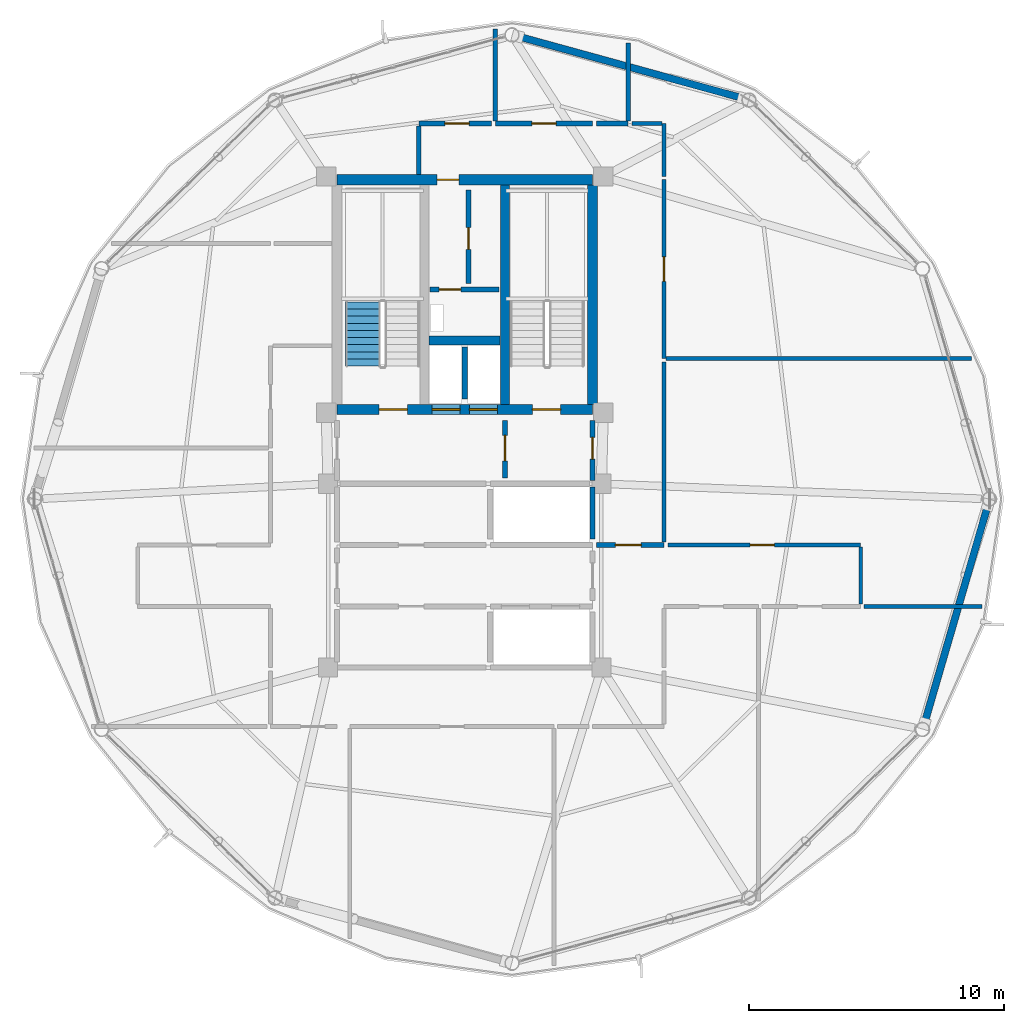
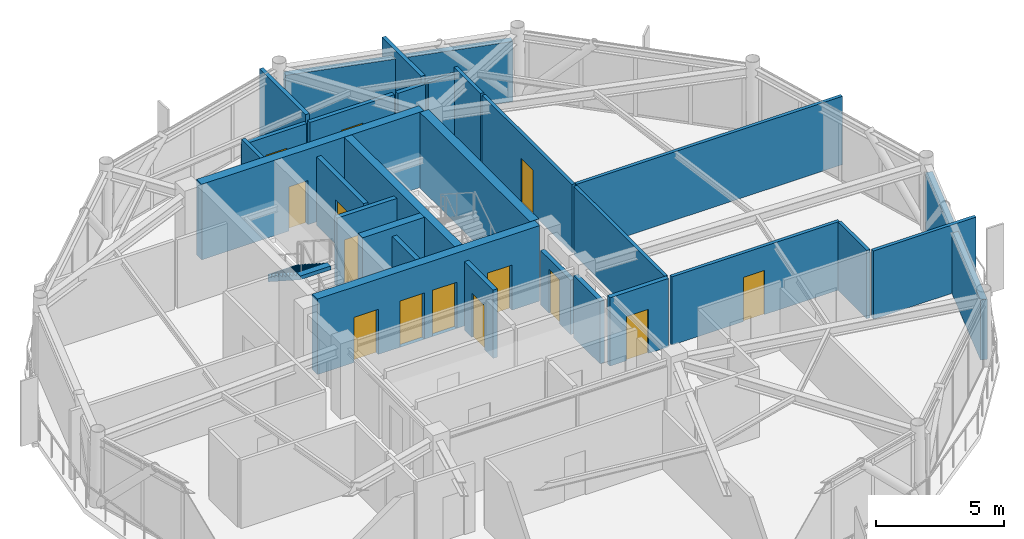
# One storey, part 24 of 28: 28 walls, 14 doors, 1 stair flight, 14 openings, 1 element without a shape of its own.
"""IFC4 building model written with IfcOpenShell, lengths in metres."""

from ifc_helpers import new_model, si_unit, direction, frame, frame_2d, origin, place, context, subcontext, project, spatial, polyline, rectangle, outline, extrude, material, layer, layer_set, type_object, element, fill, aggregate, save


model = new_model("IFC4")

# Units and contexts
model_context = context("Model", 3, precision=1e-05, world=origin(), true_north=direction((0.0, 1.0)))
body_context = subcontext(model_context, "Body", "Model", "MODEL_VIEW")
ifc_project = project(units=[si_unit("LENGTHUNIT", "METRE"), si_unit("AREAUNIT", "SQUARE_METRE"), si_unit("VOLUMEUNIT", "CUBIC_METRE"), si_unit("PLANEANGLEUNIT", "RADIAN"), si_unit("MASSUNIT", "GRAM", prefix="KILO")], contexts=[model_context])

# Site, building, storey
site_placement = place(None, origin())
site = spatial("IfcSite", under=ifc_project, at=site_placement, CompositionType="ELEMENT")
building_placement = place(site_placement, origin())
building = spatial("IfcBuilding", under=site, at=building_placement, Name="Varnakorn Sky Granary", CompositionType="ELEMENT")
storey_placement = place(building_placement, frame((0.0, 0.0, 236.39990234375)))
storey = spatial("IfcBuildingStorey", under=building, at=storey_placement, Name="L60", CompositionType="ELEMENT", Elevation=236.39990234375)

# Walls
ifc_material_1 = material(Name="Concrete C50/60", Category="concrete")
ifc_layer_1 = layer(ifc_material_1, 0.35009765625, Name="Concrete C50/60")
ifc_layer_set_1 = layer_set([ifc_layer_1], Name="Concrete C50/60")
wall_type_1 = type_object("IfcWallType", Name="WT-CW-INT-350", PredefinedType="SHEAR", material=ifc_layer_set_1)
wall_1_placement = place(storey_placement, frame((4.580078125, 3.7099609375, 0.0), z_axis=(0.0, 0.0, 1.0), x_axis=(0.0, 1.0, 0.0)))
element("IfcWall", 1, at=wall_1_placement, inside=storey, type_object=wall_type_1, Name="Stair ST-2 Core Wall L60", PredefinedType="SHEAR", context=body_context, shape_type="SweptSolid", body=[
    extrude(rectangle(XDim=8.580078125, YDim=0.35009765625, at=frame_2d((4.2900390625, 0.0))), origin(), (0.0, 0.0, 1.0), 3.592041015625),
])
wall_2_placement = place(storey_placement, frame((1.610107421875, 6.199951171875, 0.0), z_axis=(0.0, 0.0, 1.0), x_axis=(1.0, 0.0, 0.0)))
element("IfcWall", 2, at=wall_2_placement, inside=storey, type_object=wall_type_1, Name="Core Lift Shaft Cross Wall L60", PredefinedType="SHEAR", context=body_context, shape_type="SweptSolid", body=[
    extrude(rectangle(XDim=2.77978515625, YDim=0.35009765625, at=frame_2d((1.389892578125, 0.0))), origin(), (0.0, 0.0, 1.0), 3.592041015625),
])

# Wall, openings, doors
ifc_layer_2 = layer(ifc_material_1, 0.39990234375, Name="Concrete C50/60")
ifc_layer_set_2 = layer_set([ifc_layer_2], Name="Concrete C50/60")
wall_type_2 = type_object("IfcWallType", Name="WT-CW-SHEAR-400", PredefinedType="SHEAR", material=ifc_layer_set_2)
wall_3_placement = place(storey_placement, frame((-2.0, 3.5, 0.0), z_axis=(0.0, 0.0, 1.0), x_axis=(1.0, 0.0, 0.0)))
wall_3 = element("IfcWall", 3, at=wall_3_placement, inside=storey, type_object=wall_type_2, Name="Core South Shear Wall L60", PredefinedType="SHEAR", context=body_context, shape_type="SweptSolid", body=[
    extrude(rectangle(XDim=10.0, YDim=0.39990234375, at=frame_2d((5.0, 0.0))), origin(), (0.0, 0.0, 1.0), 3.592041015625),
])
opening_1_placement = place(wall_3_placement, frame((1.64990234375, 0.0, 0.0)))
opening_1 = element("IfcOpeningElement", 4, at=opening_1_placement, cuts=wall_3, Name="Opening FD-90", PredefinedType="OPENING", context=body_context, shape_type="SweptSolid", body=[
    extrude(rectangle(XDim=1.10009765625, YDim=2.14990234375, at=frame_2d((0.550048828125, 1.074951171875))), frame((0.0, 0.2099609375, 0.0), z_axis=(0.0, -1.0, 0.0), x_axis=(1.0, 0.0, 0.0)), (0.0, 0.0, 1.0), 0.419921875),
])
opening_2_placement = place(wall_3_placement, frame((7.64990234375, 0.0, 0.0)))
opening_2 = element("IfcOpeningElement", 5, at=opening_2_placement, cuts=wall_3, Name="Opening FD-90", PredefinedType="OPENING", context=body_context, shape_type="SweptSolid", body=[
    extrude(rectangle(XDim=1.10009765625, YDim=2.14990234375, at=frame_2d((0.550048828125, 1.074951171875))), frame((0.0, 0.2099609375, 0.0), z_axis=(0.0, -1.0, 0.0), x_axis=(1.0, 0.0, 0.0)), (0.0, 0.0, 1.0), 0.419921875),
])
opening_3_placement = place(wall_3_placement, frame((3.719970703125, 0.0, 0.0)))
opening_3 = element("IfcOpeningElement", 6, at=opening_3_placement, cuts=wall_3, Name="Opening LD-01", PredefinedType="OPENING", context=body_context, shape_type="SweptSolid", body=[
    extrude(rectangle(XDim=1.10009765625, YDim=2.199951171875, at=frame_2d((0.550048828125, 1.10009765625))), frame((0.0, 0.2099609375, 0.0), z_axis=(0.0, -1.0, 0.0), x_axis=(1.0, 0.0, 0.0)), (0.0, 0.0, 1.0), 0.419921875),
])
opening_4_placement = place(wall_3_placement, frame((5.179931640625, 0.0, 0.0)))
opening_4 = element("IfcOpeningElement", 7, at=opening_4_placement, cuts=wall_3, Name="Opening LD-01", PredefinedType="OPENING", context=body_context, shape_type="SweptSolid", body=[
    extrude(rectangle(XDim=1.10009765625, YDim=2.199951171875, at=frame_2d((0.550048828125, 1.10009765625))), frame((0.0, 0.2099609375, 0.0), z_axis=(0.0, -1.0, 0.0), x_axis=(1.0, 0.0, 0.0)), (0.0, 0.0, 1.0), 0.419921875),
])
ifc_material_2 = material(Name="Brushed Bronze Stainless Steel", Category="steel")
door_type_1 = type_object("IfcDoorType", Name="DR-LD-1100", OperationType="DOUBLE_DOOR_SLIDING", PredefinedType="DOOR", material=ifc_material_2)
door_1_placement = place(opening_3_placement, origin())
door_1 = element("IfcDoor", 8, at=door_1_placement, inside=storey, type_object=door_type_1, Name="Firefighting Lift FFL-1 Landing Door L60", OperationType="DOUBLE_DOOR_SLIDING", OverallHeight=2.199951171875, OverallWidth=1.10009765625, PredefinedType="DOOR", context=body_context, shape_type="SweptSolid", body=[
    extrude(rectangle(XDim=1.10009765625, YDim=2.199951171875, at=frame_2d((0.550048828125, 1.10009765625))), frame((0.0, 0.02490234375, 0.0), z_axis=(0.0, -1.0, 0.0), x_axis=(1.0, 0.0, 0.0)), (0.0, 0.0, 1.0), 0.050048828125),
])
fill(opening_3, door_1)
door_2_placement = place(opening_4_placement, origin())
door_2 = element("IfcDoor", 9, at=door_2_placement, inside=storey, type_object=door_type_1, Name="Firefighting Lift FFL-2 Landing Door L60", OperationType="DOUBLE_DOOR_SLIDING", OverallHeight=2.199951171875, OverallWidth=1.10009765625, PredefinedType="DOOR", context=body_context, shape_type="SweptSolid", body=[
    extrude(rectangle(XDim=1.10009765625, YDim=2.199951171875, at=frame_2d((0.550048828125, 1.10009765625))), frame((0.0, 0.02490234375, 0.0), z_axis=(0.0, -1.0, 0.0), x_axis=(1.0, 0.0, 0.0)), (0.0, 0.0, 1.0), 0.050048828125),
])
fill(opening_4, door_2)
ifc_material_3 = material(Name="Galvanised Painted Steel Leaf", Category="steel")
door_type_2 = type_object("IfcDoorType", Name="DR-STAIR-1100", OperationType="NOTDEFINED", PredefinedType="DOOR", material=ifc_material_3)
door_3_placement = place(opening_1_placement, origin())
door_3 = element("IfcDoor", 10, at=door_3_placement, inside=storey, type_object=door_type_2, Name="Stair ST-1 Protected Fire Door L60", OperationType="SINGLE_SWING_LEFT", OverallHeight=2.14990234375, OverallWidth=1.10009765625, PredefinedType="DOOR", context=body_context, shape_type="SweptSolid", body=[
    extrude(rectangle(XDim=1.10009765625, YDim=2.14990234375, at=frame_2d((0.550048828125, 1.074951171875))), frame((0.0, 0.02490234375, 0.0), z_axis=(0.0, -1.0, 0.0), x_axis=(1.0, 0.0, 0.0)), (0.0, 0.0, 1.0), 0.050048828125),
])
fill(opening_1, door_3)
door_4_placement = place(opening_2_placement, origin())
door_4 = element("IfcDoor", 11, at=door_4_placement, inside=storey, type_object=door_type_2, Name="Stair ST-2 Protected Fire Door L60", OperationType="SINGLE_SWING_RIGHT", OverallHeight=2.14990234375, OverallWidth=1.10009765625, PredefinedType="DOOR", context=body_context, shape_type="SweptSolid", body=[
    extrude(rectangle(XDim=1.10009765625, YDim=2.14990234375, at=frame_2d((0.550048828125, 1.074951171875))), frame((0.0, 0.02490234375, 0.0), z_axis=(0.0, -1.0, 0.0), x_axis=(1.0, 0.0, 0.0)), (0.0, 0.0, 1.0), 0.050048828125),
])
fill(opening_2, door_4)

# Wall, opening, door
wall_4_placement = place(storey_placement, frame((-2.0, 12.5, 0.0), z_axis=(0.0, 0.0, 1.0), x_axis=(1.0, 0.0, 0.0)))
wall_4 = element("IfcWall", 12, at=wall_4_placement, inside=storey, type_object=wall_type_2, Name="Core North Shear Wall L60", PredefinedType="SHEAR", context=body_context, shape_type="SweptSolid", body=[
    extrude(rectangle(XDim=10.0, YDim=0.39990234375, at=frame_2d((5.0, 0.0))), origin(), (0.0, 0.0, 1.0), 3.592041015625),
])
opening_5_placement = place(wall_4_placement, frame((3.919921875, 0.0, 0.0)))
opening_5 = element("IfcOpeningElement", 13, at=opening_5_placement, cuts=wall_4, Name="Opening FD-60N", PredefinedType="OPENING", context=body_context, shape_type="SweptSolid", body=[
    extrude(rectangle(XDim=0.85009765625, YDim=2.10009765625, at=frame_2d((0.425048828125, 1.050048828125))), frame((0.0, 0.2099609375, 0.0), z_axis=(0.0, -1.0, 0.0), x_axis=(1.0, 0.0, 0.0)), (0.0, 0.0, 1.0), 0.419921875),
])
ifc_material_4 = material(Name="Acoustic Timber Fire Leaf", Category="wood")
door_type_3 = type_object("IfcDoorType", Name="DR-FD60-850", OperationType="NOTDEFINED", PredefinedType="DOOR", material=ifc_material_4)
door_5_placement = place(opening_5_placement, origin())
door_5 = element("IfcDoor", 14, at=door_5_placement, inside=storey, type_object=door_type_3, Name="Core North Service Door L60", OperationType="SINGLE_SWING_RIGHT", OverallHeight=2.10009765625, OverallWidth=0.85009765625, PredefinedType="DOOR", context=body_context, shape_type="SweptSolid", body=[
    extrude(rectangle(XDim=0.85009765625, YDim=2.10009765625, at=frame_2d((0.425048828125, 1.050048828125))), frame((0.0, 0.02490234375, 0.0), z_axis=(0.0, -1.0, 0.0), x_axis=(1.0, 0.0, 0.0)), (0.0, 0.0, 1.0), 0.050048828125),
])
fill(opening_5, door_5)

# Walls
wall_5_placement = place(storey_placement, frame((8.0, 3.7099609375, 0.0), z_axis=(0.0, 0.0, 1.0), x_axis=(0.0, 1.0, 0.0)))
element("IfcWall", 15, at=wall_5_placement, inside=storey, type_object=wall_type_2, Name="Core East Shear Wall L60", PredefinedType="SHEAR", context=body_context, shape_type="SweptSolid", body=[
    extrude(rectangle(XDim=8.580078125, YDim=0.39990234375, at=frame_2d((4.2900390625, 0.0))), origin(), (0.0, 0.0, 1.0), 3.592041015625),
])
ifc_material_5 = material(Name="Precast concrete C40/50", Category="concrete")
ifc_layer_3 = layer(ifc_material_5, 0.280029296875, Name="Precast concrete C40/50")
ifc_layer_set_3 = layer_set([ifc_layer_3], Name="Precast concrete C40/50")
wall_type_3 = type_object("IfcWallType", Name="WT-EW-CRN-280", PredefinedType="SOLIDWALL", material=ifc_layer_set_3)
wall_6_placement = place(storey_placement, frame((5.076171875, 18.11181640625, 0.0), z_axis=(0.0, 0.0, 1.0), x_axis=(0.964221580147, -0.265097612924, 0.0)))
element("IfcWall", 16, at=wall_6_placement, inside=storey, type_object=wall_type_3, Name="Agritech Insulated Precast Facade Wall L60-P03", PredefinedType="SOLIDWALL", context=body_context, shape_type="SweptSolid", body=[
    extrude(rectangle(XDim=9.156982421875, YDim=0.280029296875, at=frame_2d((4.57861328125, 0.0))), origin(), (0.0, 0.0, 1.0), 2.860107421875),
])
wall_7_placement = place(storey_placement, frame((23.482421875, -0.22509765625, 0.0), z_axis=(0.0, 0.0, 1.0), x_axis=(-0.2791373763, -0.960251178157, 0.0)))
element("IfcWall", 17, at=wall_7_placement, inside=storey, type_object=wall_type_3, Name="Agritech Insulated Precast Facade Wall L60-P12", PredefinedType="SOLIDWALL", context=body_context, shape_type="SweptSolid", body=[
    extrude(rectangle(XDim=8.923828125, YDim=0.280029296875, at=frame_2d((4.4619140625, 0.0))), origin(), (0.0, 0.0, 1.0), 2.860107421875),
])

# Wall, opening, door
ifc_material_6 = material(Name="Autoclaved Aerated Concrete Blockwork", Category="masonry")
ifc_layer_4 = layer(ifc_material_6, 0.199951171875, Name="Autoclaved Aerated Concrete Blockwork")
ifc_layer_set_4 = layer_set([ifc_layer_4], Name="Autoclaved Aerated Concrete Blockwork")
wall_type_4 = type_object("IfcWallType", Name="WT-FIRE-200", PredefinedType="MOVABLE", material=ifc_layer_set_4)
wall_8_placement = place(storey_placement, frame((1.64990234375, 8.199951171875, 0.0), z_axis=(0.0, 0.0, 1.0), x_axis=(1.0, 0.0, 0.0)))
wall_8 = element("IfcWall", 18, at=wall_8_placement, inside=storey, type_object=wall_type_4, Name="Interior Partition Wall L60-010", PredefinedType="MOVABLE", context=body_context, shape_type="SweptSolid", body=[
    extrude(rectangle(XDim=2.7001953125, YDim=0.199951171875, at=frame_2d((1.35009765625, 0.0))), origin(), (0.0, 0.0, 1.0), 3.25),
])
opening_6_placement = place(wall_8_placement, frame((0.35009765625, 0.0, 0.0)))
opening_6 = element("IfcOpeningElement", 19, at=opening_6_placement, cuts=wall_8, Name="Opening FD-60N", PredefinedType="OPENING", context=body_context, shape_type="SweptSolid", body=[
    extrude(rectangle(XDim=0.85009765625, YDim=2.10009765625, at=frame_2d((0.425048828125, 1.050048828125))), frame((0.0, 0.10986328125, 0.0), z_axis=(0.0, -1.0, 0.0), x_axis=(1.0, 0.0, 0.0)), (0.0, 0.0, 1.0), 0.219970703125),
])
door_6_placement = place(opening_6_placement, origin())
door_6 = element("IfcDoor", 20, at=door_6_placement, inside=storey, type_object=door_type_3, Name="Interior Door L60-010-1", OperationType="SINGLE_SWING_LEFT", OverallHeight=2.10009765625, OverallWidth=0.85009765625, PredefinedType="DOOR", context=body_context, shape_type="SweptSolid", body=[
    extrude(rectangle(XDim=0.85009765625, YDim=2.10009765625, at=frame_2d((0.425048828125, 1.050048828125))), frame((0.0, 0.02490234375, 0.0), z_axis=(0.0, -1.0, 0.0), x_axis=(1.0, 0.0, 0.0)), (0.0, 0.0, 1.0), 0.050048828125),
])
fill(opening_6, door_6)

wall_9_placement = place(storey_placement, frame((3.14990234375, 8.429931640625, 0.0), z_axis=(0.0, 0.0, 1.0), x_axis=(0.0, 1.0, 0.0)))
wall_9 = element("IfcWall", 21, at=wall_9_placement, inside=storey, type_object=wall_type_4, Name="Interior Partition Wall L60-011", PredefinedType="MOVABLE", context=body_context, shape_type="SweptSolid", body=[
    extrude(rectangle(XDim=3.670166015625, YDim=0.199951171875, at=frame_2d((1.8349609375, 0.0))), origin(), (0.0, 0.0, 1.0), 3.25),
])
opening_7_placement = place(wall_9_placement, frame((1.340087890625, 0.0, 0.0)))
opening_7 = element("IfcOpeningElement", 22, at=opening_7_placement, cuts=wall_9, Name="Opening FD-60N", PredefinedType="OPENING", context=body_context, shape_type="SweptSolid", body=[
    extrude(rectangle(XDim=0.85009765625, YDim=2.10009765625, at=frame_2d((0.425048828125, 1.050048828125))), frame((0.0, 0.10986328125, 0.0), z_axis=(0.0, -1.0, 0.0), x_axis=(1.0, 0.0, 0.0)), (0.0, 0.0, 1.0), 0.219970703125),
])
door_7_placement = place(opening_7_placement, origin())
door_7 = element("IfcDoor", 23, at=door_7_placement, inside=storey, type_object=door_type_3, Name="Interior Door L60-011-1", OperationType="SINGLE_SWING_RIGHT", OverallHeight=2.10009765625, OverallWidth=0.85009765625, PredefinedType="DOOR", context=body_context, shape_type="SweptSolid", body=[
    extrude(rectangle(XDim=0.85009765625, YDim=2.10009765625, at=frame_2d((0.425048828125, 1.050048828125))), frame((0.0, 0.02490234375, 0.0), z_axis=(0.0, -1.0, 0.0), x_axis=(1.0, 0.0, 0.0)), (0.0, 0.0, 1.0), 0.050048828125),
])
fill(opening_7, door_7)

wall_10_placement = place(storey_placement, frame((4.580078125, 0.830078125, 0.0), z_axis=(0.0, 0.0, 1.0), x_axis=(0.0, 1.0, 0.0)))
wall_10 = element("IfcWall", 24, at=wall_10_placement, inside=storey, type_object=wall_type_4, Name="Interior Partition Wall L60-012", PredefinedType="MOVABLE", context=body_context, shape_type="SweptSolid", body=[
    extrude(rectangle(XDim=2.239990234375, YDim=0.199951171875, at=frame_2d((1.1201171875, 0.0))), origin(), (0.0, 0.0, 1.0), 3.25),
])
opening_8_placement = place(wall_10_placement, frame((0.659912109375, 0.0, 0.0)))
opening_8 = element("IfcOpeningElement", 25, at=opening_8_placement, cuts=wall_10, Name="Opening FD-60", PredefinedType="OPENING", context=body_context, shape_type="SweptSolid", body=[
    extrude(rectangle(XDim=1.0, YDim=2.10009765625, at=frame_2d((0.5, 1.050048828125))), frame((0.0, 0.10986328125, 0.0), z_axis=(0.0, -1.0, 0.0), x_axis=(1.0, 0.0, 0.0)), (0.0, 0.0, 1.0), 0.219970703125),
])
door_type_4 = type_object("IfcDoorType", Name="DR-FD60-1000", OperationType="NOTDEFINED", PredefinedType="DOOR", material=ifc_material_4)
door_8_placement = place(opening_8_placement, origin())
door_8 = element("IfcDoor", 26, at=door_8_placement, inside=storey, type_object=door_type_4, Name="Interior Door L60-012-1", OperationType="SINGLE_SWING_LEFT", OverallHeight=2.10009765625, OverallWidth=1.0, PredefinedType="DOOR", context=body_context, shape_type="SweptSolid", body=[
    extrude(rectangle(XDim=1.0, YDim=2.10009765625, at=frame_2d((0.5, 1.050048828125))), frame((0.0, 0.02490234375, 0.0), z_axis=(0.0, -1.0, 0.0), x_axis=(1.0, 0.0, 0.0)), (0.0, 0.0, 1.0), 0.050048828125),
])
fill(opening_8, door_8)

wall_11_placement = place(storey_placement, frame((8.0, 0.719970703125, 0.0), z_axis=(0.0, 0.0, 1.0), x_axis=(0.0, 1.0, 0.0)))
wall_11 = element("IfcWall", 27, at=wall_11_placement, inside=storey, type_object=wall_type_4, Name="Interior Partition Wall L60-014", PredefinedType="MOVABLE", context=body_context, shape_type="SweptSolid", body=[
    extrude(rectangle(XDim=2.35009765625, YDim=0.199951171875, at=frame_2d((1.175048828125, 0.0))), origin(), (0.0, 0.0, 1.0), 2.58203125),
])
opening_9_placement = place(wall_11_placement, frame((0.844970703125, 0.0, 0.0)))
opening_9 = element("IfcOpeningElement", 28, at=opening_9_placement, cuts=wall_11, Name="Opening FD-60N", PredefinedType="OPENING", context=body_context, shape_type="SweptSolid", body=[
    extrude(rectangle(XDim=0.85009765625, YDim=2.10009765625, at=frame_2d((0.425048828125, 1.050048828125))), frame((0.0, 0.10986328125, 0.0), z_axis=(0.0, -1.0, 0.0), x_axis=(1.0, 0.0, 0.0)), (0.0, 0.0, 1.0), 0.219970703125),
])
door_9_placement = place(opening_9_placement, origin())
door_9 = element("IfcDoor", 29, at=door_9_placement, inside=storey, type_object=door_type_3, Name="Interior Door L60-014-1", OperationType="SINGLE_SWING_LEFT", OverallHeight=2.10009765625, OverallWidth=0.85009765625, PredefinedType="DOOR", context=body_context, shape_type="SweptSolid", body=[
    extrude(rectangle(XDim=0.85009765625, YDim=2.10009765625, at=frame_2d((0.425048828125, 1.050048828125))), frame((0.0, 0.02490234375, 0.0), z_axis=(0.0, -1.0, 0.0), x_axis=(1.0, 0.0, 0.0)), (0.0, 0.0, 1.0), 0.050048828125),
])
fill(opening_9, door_9)

wall_12_placement = place(storey_placement, frame((8.159912109375, -1.800048828125, 0.0), z_axis=(0.0, 0.0, 1.0), x_axis=(1.0, 0.0, 0.0)))
wall_12 = element("IfcWall", 30, at=wall_12_placement, inside=storey, type_object=wall_type_4, Name="Interior Partition Wall L60-019", PredefinedType="MOVABLE", context=body_context, shape_type="SweptSolid", body=[
    extrude(rectangle(XDim=2.64013671875, YDim=0.199951171875, at=frame_2d((1.320068359375, 0.0))), origin(), (0.0, 0.0, 1.0), 3.25),
])
opening_10_placement = place(wall_12_placement, frame((0.739990234375, 0.0, 0.0)))
opening_10 = element("IfcOpeningElement", 31, at=opening_10_placement, cuts=wall_12, Name="Opening FD-60", PredefinedType="OPENING", context=body_context, shape_type="SweptSolid", body=[
    extrude(rectangle(XDim=1.0, YDim=2.10009765625, at=frame_2d((0.5, 1.050048828125))), frame((0.0, 0.10986328125, 0.0), z_axis=(0.0, -1.0, 0.0), x_axis=(1.0, 0.0, 0.0)), (0.0, 0.0, 1.0), 0.219970703125),
])
door_10_placement = place(opening_10_placement, origin())
door_10 = element("IfcDoor", 32, at=door_10_placement, inside=storey, type_object=door_type_4, Name="Interior Door L60-019-1", OperationType="SINGLE_SWING_RIGHT", OverallHeight=2.10009765625, OverallWidth=1.0, PredefinedType="DOOR", context=body_context, shape_type="SweptSolid", body=[
    extrude(rectangle(XDim=1.0, YDim=2.10009765625, at=frame_2d((0.5, 1.050048828125))), frame((0.0, 0.02490234375, 0.0), z_axis=(0.0, -1.0, 0.0), x_axis=(1.0, 0.0, 0.0)), (0.0, 0.0, 1.0), 0.050048828125),
])
fill(opening_10, door_10)

ifc_material_7 = material(Name="Gypsum Plasterboard on Steel Stud", Category="steel")
ifc_layer_5 = layer(ifc_material_7, 0.14990234375, Name="Gypsum Plasterboard on Steel Stud")
ifc_layer_set_5 = layer_set([ifc_layer_5], Name="Gypsum Plasterboard on Steel Stud")
wall_type_5 = type_object("IfcWallType", Name="WT-PART-150", PredefinedType="PARTITIONING", material=ifc_layer_set_5)
wall_13_placement = place(storey_placement, frame((18.5, -1.800048828125, 0.0), z_axis=(0.0, 0.0, 1.0), x_axis=(-1.0, 0.0, 0.0)))
wall_13 = element("IfcWall", 33, at=wall_13_placement, inside=storey, type_object=wall_type_5, Name="Interior Partition Wall L60-028", PredefinedType="PARTITIONING", context=body_context, shape_type="SweptSolid", body=[
    extrude(rectangle(XDim=7.5400390625, YDim=0.14990234375, at=frame_2d((3.77001953125, 0.0))), origin(), (0.0, 0.0, 1.0), 3.25),
])
opening_11_placement = place(wall_13_placement, frame((3.375, 0.0, 0.0)))
opening_11 = element("IfcOpeningElement", 34, at=opening_11_placement, cuts=wall_13, Name="Opening ID-95", PredefinedType="OPENING", context=body_context, shape_type="SweptSolid", body=[
    extrude(rectangle(XDim=0.949951171875, YDim=2.10009765625, at=frame_2d((0.47509765625, 1.050048828125))), frame((0.0, 0.0849609375, 0.0), z_axis=(0.0, -1.0, 0.0), x_axis=(1.0, 0.0, 0.0)), (0.0, 0.0, 1.0), 0.169921875),
])
ifc_material_8 = material(Name="Solid-Core Teak Veneer Leaf", Category="timber")
door_type_5 = type_object("IfcDoorType", Name="DR-INT-950", OperationType="NOTDEFINED", PredefinedType="DOOR", material=ifc_material_8)
door_11_placement = place(opening_11_placement, origin())
door_11 = element("IfcDoor", 35, at=door_11_placement, inside=storey, type_object=door_type_5, Name="Interior Door L60-028-1", OperationType="SINGLE_SWING_LEFT", OverallHeight=2.10009765625, OverallWidth=0.949951171875, PredefinedType="DOOR", context=body_context, shape_type="SweptSolid", body=[
    extrude(rectangle(XDim=0.949951171875, YDim=2.10009765625, at=frame_2d((0.47509765625, 1.050048828125))), frame((0.0, 0.02490234375, 0.0), z_axis=(0.0, -1.0, 0.0), x_axis=(1.0, 0.0, 0.0)), (0.0, 0.0, 1.0), 0.050048828125),
])
fill(opening_11, door_11)

wall_14_placement = place(storey_placement, frame((10.800048828125, 5.5, 0.0), z_axis=(0.0, 0.0, 1.0), x_axis=(0.0, 1.0, 0.0)))
wall_14 = element("IfcWall", 36, at=wall_14_placement, inside=storey, type_object=wall_type_5, Name="Interior Partition Wall L60-029", PredefinedType="PARTITIONING", context=body_context, shape_type="SweptSolid", body=[
    extrude(rectangle(XDim=7.0, YDim=0.14990234375, at=frame_2d((3.5, 0.0))), origin(), (0.0, 0.0, 1.0), 3.25),
])
opening_12_placement = place(wall_14_placement, frame((3.02490234375, 0.0, 0.0)))
opening_12 = element("IfcOpeningElement", 37, at=opening_12_placement, cuts=wall_14, Name="Opening ID-95", PredefinedType="OPENING", context=body_context, shape_type="SweptSolid", body=[
    extrude(rectangle(XDim=0.949951171875, YDim=2.10009765625, at=frame_2d((0.47509765625, 1.050048828125))), frame((0.0, 0.0849609375, 0.0), z_axis=(0.0, -1.0, 0.0), x_axis=(1.0, 0.0, 0.0)), (0.0, 0.0, 1.0), 0.169921875),
])
door_12_placement = place(opening_12_placement, origin())
door_12 = element("IfcDoor", 38, at=door_12_placement, inside=storey, type_object=door_type_5, Name="Interior Door L60-029-1", OperationType="SINGLE_SWING_RIGHT", OverallHeight=2.10009765625, OverallWidth=0.949951171875, PredefinedType="DOOR", context=body_context, shape_type="SweptSolid", body=[
    extrude(rectangle(XDim=0.949951171875, YDim=2.10009765625, at=frame_2d((0.47509765625, 1.050048828125))), frame((0.0, 0.02490234375, 0.0), z_axis=(0.0, -1.0, 0.0), x_axis=(1.0, 0.0, 0.0)), (0.0, 0.0, 1.0), 0.050048828125),
])
fill(opening_12, door_12)

# Walls
wall_15_placement = place(storey_placement, frame((18.635009765625, -4.199951171875, 0.0), z_axis=(0.0, 0.0, 1.0), x_axis=(1.0, 0.0, 0.0)))
element("IfcWall", 39, at=wall_15_placement, inside=storey, type_object=wall_type_5, Name="Interior Partition Wall L60-043", PredefinedType="PARTITIONING", context=body_context, shape_type="SweptSolid", body=[
    extrude(rectangle(XDim=4.614990234375, YDim=0.14990234375, at=frame_2d((2.3076171875, 0.0))), origin(), (0.0, 0.0, 1.0), 3.25),
])
wall_16_placement = place(storey_placement, frame((18.5, -4.114990234375, 0.0), z_axis=(0.0, 0.0, 1.0), x_axis=(0.0, 1.0, 0.0)))
element("IfcWall", 40, at=wall_16_placement, inside=storey, type_object=wall_type_5, Name="Interior Partition Wall L60-055", PredefinedType="PARTITIONING", context=body_context, shape_type="SweptSolid", body=[
    extrude(rectangle(XDim=2.22998046875, YDim=0.14990234375, at=frame_2d((1.114990234375, 0.0))), origin(), (0.0, 0.0, 1.0), 3.25),
])
wall_17_placement = place(storey_placement, frame((10.800048828125, -1.68994140625, 0.0), z_axis=(0.0, 0.0, 1.0), x_axis=(0.0, 1.0, 0.0)))
element("IfcWall", 41, at=wall_17_placement, inside=storey, type_object=wall_type_5, Name="Interior Partition Wall L60-056", PredefinedType="PARTITIONING", context=body_context, shape_type="SweptSolid", body=[
    extrude(rectangle(XDim=7.054931640625, YDim=0.14990234375, at=frame_2d((3.52734375, 0.0))), origin(), (0.0, 0.0, 1.0), 3.25),
])
wall_18_placement = place(storey_placement, frame((10.885009765625, 5.5, 0.0), z_axis=(0.0, 0.0, 1.0), x_axis=(1.0, 0.0, 0.0)))
element("IfcWall", 42, at=wall_18_placement, inside=storey, type_object=wall_type_5, Name="Interior Partition Wall L60-057", PredefinedType="PARTITIONING", context=body_context, shape_type="SweptSolid", body=[
    extrude(rectangle(XDim=11.9560546875, YDim=0.14990234375, at=frame_2d((5.97802734375, 0.0))), origin(), (0.0, 0.0, 1.0), 3.25),
])
wall_19_placement = place(storey_placement, frame((10.800048828125, 12.635009765625, 0.0), z_axis=(0.0, 0.0, 1.0), x_axis=(0.0, 1.0, 0.0)))
element("IfcWall", 43, at=wall_19_placement, inside=storey, type_object=wall_type_5, Name="Interior Partition Wall L60-058", PredefinedType="PARTITIONING", context=body_context, shape_type="SweptSolid", body=[
    extrude(rectangle(XDim=2.06494140625, YDim=0.14990234375, at=frame_2d((1.032470703125, 0.0))), origin(), (0.0, 0.0, 1.0), 3.25),
])
wall_20_placement = place(storey_placement, frame((10.715087890625, 14.699951171875, 0.0), z_axis=(0.0, 0.0, 1.0), x_axis=(-1.0, 0.0, 0.0)))
element("IfcWall", 44, at=wall_20_placement, inside=storey, type_object=wall_type_5, Name="Interior Partition Wall L60-059", PredefinedType="PARTITIONING", context=body_context, shape_type="SweptSolid", body=[
    extrude(rectangle(XDim=1.1650390625, YDim=0.14990234375, at=frame_2d((0.58251953125, 0.0))), origin(), (0.0, 0.0, 1.0), 2.962158203125),
])

# Wall, opening, door
ifc_material_9 = material(Name="Moisture-Resistant Gypsum on Stud", Category="gypsum")
ifc_layer_6 = layer(ifc_material_9, 0.179931640625, Name="Moisture-Resistant Gypsum on Stud")
ifc_layer_set_6 = layer_set([ifc_layer_6], Name="Moisture-Resistant Gypsum on Stud")
wall_type_6 = type_object("IfcWallType", Name="WT-PLUMB-180", PredefinedType="PLUMBINGWALL", material=ifc_layer_set_6)
wall_21_placement = place(storey_placement, frame((8.0, 14.699951171875, 0.0), z_axis=(0.0, 0.0, 1.0), x_axis=(-1.0, 0.0, 0.0)))
wall_21 = element("IfcWall", 45, at=wall_21_placement, inside=storey, type_object=wall_type_6, Name="Interior Partition Wall L60-020", PredefinedType="PLUMBINGWALL", context=body_context, shape_type="SweptSolid", body=[
    extrude(rectangle(XDim=3.800048828125, YDim=0.179931640625, at=frame_2d((1.89990234375, 0.0))), origin(), (0.0, 0.0, 1.0), 2.962158203125),
])
opening_13_placement = place(wall_21_placement, frame((1.425048828125, 0.0, 0.0)))
opening_13 = element("IfcOpeningElement", 46, at=opening_13_placement, cuts=wall_21, Name="Opening ID-95", PredefinedType="OPENING", context=body_context, shape_type="SweptSolid", body=[
    extrude(rectangle(XDim=0.949951171875, YDim=2.10009765625, at=frame_2d((0.47509765625, 1.050048828125))), frame((0.0, 0.10009765625, 0.0), z_axis=(0.0, -1.0, 0.0), x_axis=(1.0, 0.0, 0.0)), (0.0, 0.0, 1.0), 0.199951171875),
])
door_13_placement = place(opening_13_placement, origin())
door_13 = element("IfcDoor", 47, at=door_13_placement, inside=storey, type_object=door_type_5, Name="Interior Door L60-020-1", OperationType="SINGLE_SWING_LEFT", OverallHeight=2.10009765625, OverallWidth=0.949951171875, PredefinedType="DOOR", context=body_context, shape_type="SweptSolid", body=[
    extrude(rectangle(XDim=0.949951171875, YDim=2.10009765625, at=frame_2d((0.47509765625, 1.050048828125))), frame((0.0, 0.02490234375, 0.0), z_axis=(0.0, -1.0, 0.0), x_axis=(1.0, 0.0, 0.0)), (0.0, 0.0, 1.0), 0.050048828125),
])
fill(opening_13, door_13)

wall_22_placement = place(storey_placement, frame((4.050048828125, 14.699951171875, 0.0), z_axis=(0.0, 0.0, 1.0), x_axis=(-1.0, 0.0, 0.0)))
wall_22 = element("IfcWall", 48, at=wall_22_placement, inside=storey, type_object=wall_type_6, Name="Interior Partition Wall L60-027", PredefinedType="PLUMBINGWALL", context=body_context, shape_type="SweptSolid", body=[
    extrude(rectangle(XDim=2.85009765625, YDim=0.179931640625, at=frame_2d((1.425048828125, 0.0))), origin(), (0.0, 0.0, 1.0), 2.962158203125),
])
opening_14_placement = place(wall_22_placement, frame((0.875, 0.0, 0.0)))
opening_14 = element("IfcOpeningElement", 49, at=opening_14_placement, cuts=wall_22, Name="Opening ID-95", PredefinedType="OPENING", context=body_context, shape_type="SweptSolid", body=[
    extrude(rectangle(XDim=0.949951171875, YDim=2.10009765625, at=frame_2d((0.47509765625, 1.050048828125))), frame((0.0, 0.10009765625, 0.0), z_axis=(0.0, -1.0, 0.0), x_axis=(1.0, 0.0, 0.0)), (0.0, 0.0, 1.0), 0.199951171875),
])
door_14_placement = place(opening_14_placement, origin())
door_14 = element("IfcDoor", 50, at=door_14_placement, inside=storey, type_object=door_type_5, Name="Interior Door L60-027-1", OperationType="SINGLE_SWING_RIGHT", OverallHeight=2.10009765625, OverallWidth=0.949951171875, PredefinedType="DOOR", context=body_context, shape_type="SweptSolid", body=[
    extrude(rectangle(XDim=0.949951171875, YDim=2.10009765625, at=frame_2d((0.47509765625, 1.050048828125))), frame((0.0, 0.02490234375, 0.0), z_axis=(0.0, -1.0, 0.0), x_axis=(1.0, 0.0, 0.0)), (0.0, 0.0, 1.0), 0.050048828125),
])
fill(opening_14, door_14)

# Walls
wall_23_placement = place(storey_placement, frame((9.39990234375, 14.699951171875, 0.0), z_axis=(0.0, 0.0, 1.0), x_axis=(-1.0, 0.0, 0.0)))
element("IfcWall", 51, at=wall_23_placement, inside=storey, type_object=wall_type_6, Name="Interior Partition Wall L60-034", PredefinedType="PLUMBINGWALL", context=body_context, shape_type="SweptSolid", body=[
    extrude(rectangle(XDim=1.25, YDim=0.179931640625, at=frame_2d((0.625, 0.0))), origin(), (0.0, 0.0, 1.0), 2.962158203125),
])
wall_24_placement = place(storey_placement, frame((1.199951171875, 14.60009765625, 0.0), z_axis=(0.0, 0.0, 1.0), x_axis=(0.0, -1.0, 0.0)))
element("IfcWall", 52, at=wall_24_placement, inside=storey, type_object=wall_type_6, Name="Interior Partition Wall L60-053", PredefinedType="PLUMBINGWALL", context=body_context, shape_type="SweptSolid", body=[
    extrude(rectangle(XDim=1.89013671875, YDim=0.179931640625, at=frame_2d((0.945068359375, 0.0))), origin(), (0.0, 0.0, 1.0), 3.25),
])
wall_25_placement = place(storey_placement, frame((4.199951171875, 18.39501953125, 0.0), z_axis=(0.0, 0.0, 1.0), x_axis=(0.0, -1.0, 0.0)))
element("IfcWall", 53, at=wall_25_placement, inside=storey, type_object=wall_type_6, Name="Interior Partition Wall L60-054", PredefinedType="PLUMBINGWALL", context=body_context, shape_type="SweptSolid", body=[
    extrude(rectangle(XDim=3.594970703125, YDim=0.179931640625, at=frame_2d((1.79736328125, 0.0))), origin(), (0.0, 0.0, 1.0), 3.25),
])
wall_26_placement = place(storey_placement, frame((9.39990234375, 14.800048828125, 0.0), z_axis=(0.0, 0.0, 1.0), x_axis=(0.0, 1.0, 0.0)))
element("IfcWall", 54, at=wall_26_placement, inside=storey, type_object=wall_type_6, Name="Interior Partition Wall L60-060", PredefinedType="PLUMBINGWALL", context=body_context, shape_type="SweptSolid", body=[
    extrude(rectangle(XDim=3.06005859375, YDim=0.179931640625, at=frame_2d((1.530029296875, 0.0))), origin(), (0.0, 0.0, 1.0), 3.25),
])
ifc_layer_7 = layer(ifc_material_6, 0.199951171875, Name="Autoclaved Aerated Concrete Blockwork")
ifc_layer_set_7 = layer_set([ifc_layer_7], Name="Autoclaved Aerated Concrete Blockwork")
wall_type_7 = type_object("IfcWallType", Name="WT-SHAFT-200", PredefinedType="SOLIDWALL", material=ifc_layer_set_7)
wall_27_placement = place(storey_placement, frame((3.0, 3.919921875, 0.0), z_axis=(0.0, 0.0, 1.0), x_axis=(0.0, 1.0, 0.0)))
element("IfcWall", 55, at=wall_27_placement, inside=storey, type_object=wall_type_7, Name="Interior Partition Wall L60-001", PredefinedType="SOLIDWALL", context=body_context, shape_type="SweptSolid", body=[
    extrude(rectangle(XDim=2.030029296875, YDim=0.199951171875, at=frame_2d((1.01513671875, 0.0))), origin(), (0.0, 0.0, 1.0), 3.25),
])
wall_28_placement = place(storey_placement, frame((8.0, -1.570068359375, 0.0), z_axis=(0.0, 0.0, 1.0), x_axis=(0.0, 1.0, 0.0)))
element("IfcWall", 56, at=wall_28_placement, inside=storey, type_object=wall_type_7, Name="Interior Partition Wall L60-005", PredefinedType="SOLIDWALL", context=body_context, shape_type="SweptSolid", body=[
    extrude(rectangle(XDim=2.050048828125, YDim=0.199951171875, at=frame_2d((1.02490234375, 0.0))), origin(), (0.0, 0.0, 1.0), 2.962158203125),
])

# Stair, stair flight
ifc_material_10 = material(Name="Concrete C40/50", Category="concrete")
stair_type = type_object("IfcStairType", Name="ST-MAIN-ASSEMBLY", PredefinedType="HALF_TURN_STAIR", material=ifc_material_10)
stair_placement = place(storey_placement, origin())
stair = element("IfcStair", 57, at=stair_placement, inside=storey, type_object=stair_type, Name="L60 Protected Exit Stair ST-1", PredefinedType="HALF_TURN_STAIR")
stair_flight_type = type_object("IfcStairFlightType", Name="ST-MAIN-FLIGHT", PredefinedType="STRAIGHT", material=ifc_material_10)
stair_flight_placement = place(storey_placement, frame((-0.97998046875, 7.719970703125, 1.800048828125), z_axis=(0.0, 0.0, 1.0), x_axis=(0.0, -1.0, 0.0)))
stair_flight = element("IfcStairFlight", 58, at=stair_flight_placement, type_object=stair_flight_type, Name="ST-1 flight 2", NumberOfRisers=10, NumberOfTreads=9, PredefinedType="STRAIGHT", RiserHeight=0.18, TreadLength=0.28, context=body_context, shape_type="SweptSolid", body=[
    extrude(outline(polyline([(0.0, -0.14990234375), (0.0, 0.0), (0.0, 0.179931640625), (0.280029296875, 0.179931640625), (0.280029296875, 0.360107421875), (0.56005859375, 0.360107421875), (0.56005859375, 0.5400390625), (0.840087890625, 0.5400390625), (0.840087890625, 0.719970703125), (1.1201171875, 0.719970703125), (1.1201171875, 0.89990234375), (1.39990234375, 0.89990234375), (1.39990234375, 1.080078125), (1.679931640625, 1.080078125), (1.679931640625, 1.260009765625), (1.9599609375, 1.260009765625), (1.9599609375, 1.43994140625), (2.239990234375, 1.43994140625), (2.239990234375, 1.6201171875), (2.52001953125, 1.6201171875), (2.52001953125, 1.800048828125), (2.52001953125, 1.44189453125), (0.050048828125, -0.14990234375), (0.0, -0.14990234375)])), frame((0.0, 0.68994140625, 0.0), z_axis=(0.0, -1.0, 0.0), x_axis=(1.0, 0.0, 0.0)), (0.0, 0.0, 1.0), 1.3798828125),
])
aggregate(stair, [stair_flight])

save(model, "model.ifc")
